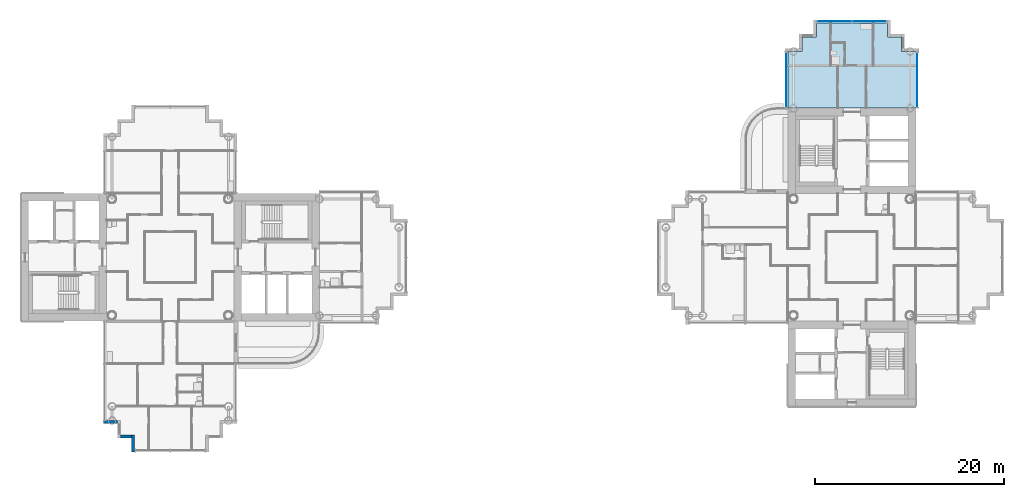
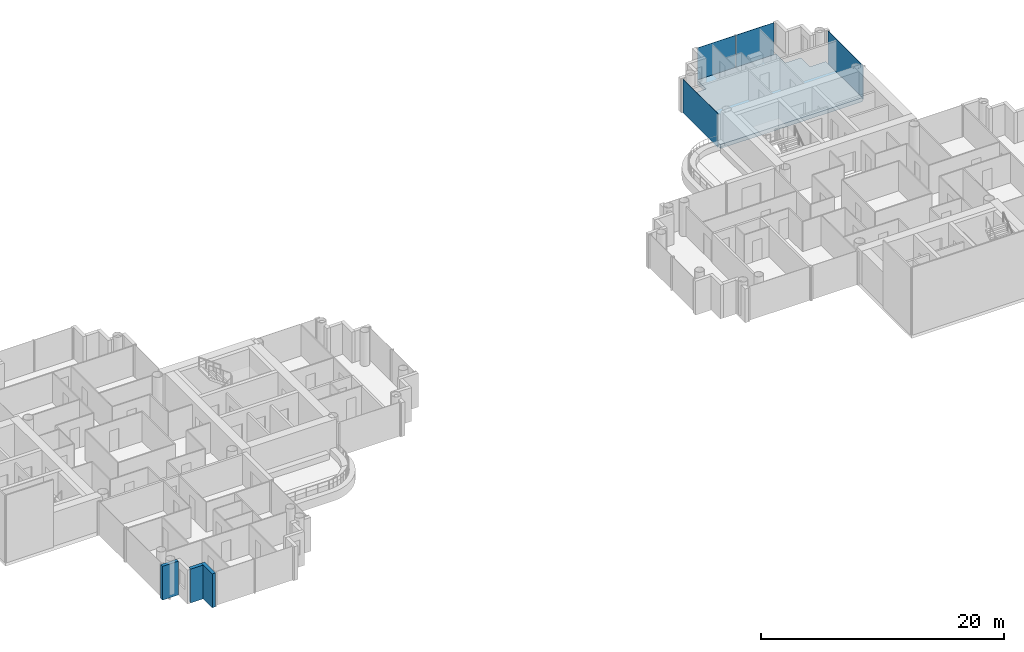
# One storey, part 6 of 19: 4 plates, 3 walls, 1 slab, 3 elements without a shape of their own.
"""IFC4 building model written with IfcOpenShell, lengths in metres."""

from ifc_helpers import new_model, si_unit, direction, frame, frame_2d, origin, origin_2d, place, context, subcontext, project, spatial, polyline, rectangle, outline, extrude, material, layer, layer_set, type_object, element, aggregate, save


model = new_model("IFC4")

# Units and contexts
model_context = context("Model", 3, precision=1e-05, world=origin(), true_north=direction((0.0, 1.0)))
body_context = subcontext(model_context, "Body", "Model", "MODEL_VIEW")
ifc_project = project(units=[si_unit("LENGTHUNIT", "METRE"), si_unit("AREAUNIT", "SQUARE_METRE"), si_unit("VOLUMEUNIT", "CUBIC_METRE"), si_unit("PLANEANGLEUNIT", "RADIAN"), si_unit("MASSUNIT", "GRAM", prefix="KILO")], contexts=[model_context])

# Site, building, storey
site_placement = place(None, origin())
site = spatial("IfcSite", under=ifc_project, at=site_placement, CompositionType="ELEMENT")
building_placement = place(site_placement, origin())
building = spatial("IfcBuilding", under=site, at=building_placement, Name="Ipe Terrace Towers", CompositionType="ELEMENT")
storey_placement = place(building_placement, frame((0.0, 0.0, 140.5)))
storey = spatial("IfcBuildingStorey", under=building, at=storey_placement, Name="L38", CompositionType="ELEMENT", Elevation=140.5)

# Slab
ifc_material_1 = material(Name="Concrete C40/50", Category="concrete")
ifc_layer_1 = layer(ifc_material_1, 0.39990234375)
ifc_layer_set_1 = layer_set([ifc_layer_1], Name="FLAT PLATE SLAB 400 C40-50")
slab_type = type_object("IfcSlabType", Name="FLAT PLATE SLAB 400 C40-50", PredefinedType="FLOOR", material=ifc_layer_set_1)
slab_placement = place(storey_placement, frame((0.0, 0.0, -0.39990234375)))
element("IfcSlab", 1, at=slab_placement, inside=storey, type_object=slab_type, Name="Slab T2-FS-Z32", PredefinedType="FLOOR", context=body_context, shape_type="SweptSolid", body=[
    extrude(outline(polyline([(30.75, 21.75), (30.75, 23.25), (32.25, 23.25), (32.25, 24.75), (39.75, 24.75), (39.75, 23.25), (41.25, 23.25), (41.25, 21.75), (42.75, 21.75), (42.75, 15.75), (29.25, 15.75), (29.25, 21.75), (30.75, 21.75)])), origin(), (0.0, 0.0, 1.0), 0.39990234375),
])

# Curtain wall, plate
ifc_material_2 = material(Name="Aluminium alloy 6063-T6", Category="aluminium")
ifc_layer_2 = layer(ifc_material_2, 0.320068359375)
ifc_layer_set_2 = layer_set([ifc_layer_2], Name="TOWER UNITISED CURTAIN WALL")
curtain_wall_type = type_object("IfcCurtainWallType", Name="TOWER UNITISED CURTAIN WALL", PredefinedType="NOTDEFINED", material=ifc_layer_set_2)
curtain_wall_1_placement = place(storey_placement, origin())
curtain_wall_1 = element("IfcCurtainWall", 2, at=curtain_wall_1_placement, inside=storey, type_object=curtain_wall_type, Name="T2-CW-L38-16b curtain wall", PredefinedType="NOTDEFINED")
ifc_material_3 = material(Name="Glass, clear laminated", Category="glass")
ifc_layer_3 = layer(ifc_material_3, 0.031982421875)
ifc_layer_set_3 = layer_set([ifc_layer_3], Name="TOWER UNITISED GLASS PANEL 32")
plate_type = type_object("IfcPlateType", Name="TOWER UNITISED GLASS PANEL 32", PredefinedType="CURTAIN_PANEL", material=ifc_layer_set_3)
plate_1_placement = place(storey_placement, frame((42.909912109375, 18.75048828125, -0.300048828125), z_axis=(0.0, 0.0, 1.0), x_axis=(0.0, 1.0, 0.0)))
plate_1 = element("IfcPlate", 3, at=plate_1_placement, type_object=plate_type, Name="T2-CW-L38-16b panel 1", PredefinedType="CURTAIN_PANEL", context=body_context, shape_type="SweptSolid", body=[
    extrude(rectangle(XDim=5.759033203125, YDim=0.031982421875, at=origin_2d()), origin(), (0.0, 0.0, 1.0), 3.39990234375),
])
aggregate(curtain_wall_1, [plate_1])

# Curtain wall, plates
curtain_wall_2_placement = place(storey_placement, origin())
curtain_wall_2 = element("IfcCurtainWall", 4, at=curtain_wall_2_placement, inside=storey, type_object=curtain_wall_type, Name="T2-CW-L38-21a curtain wall", PredefinedType="NOTDEFINED")
plate_2_placement = place(storey_placement, frame((37.831298828125, 24.909912109375, -0.300048828125), z_axis=(0.0, 0.0, 1.0), x_axis=(-1.0, 0.0, 0.0)))
plate_2 = element("IfcPlate", 5, at=plate_2_placement, type_object=plate_type, Name="T2-CW-L38-21a panel 1", PredefinedType="CURTAIN_PANEL", context=body_context, shape_type="SweptSolid", body=[
    extrude(rectangle(XDim=3.597412109375, YDim=0.031982421875, at=origin_2d()), origin(), (0.0, 0.0, 1.0), 3.39990234375),
])
plate_3_placement = place(storey_placement, frame((34.168701171875, 24.909912109375, -0.300048828125), z_axis=(0.0, 0.0, 1.0), x_axis=(-1.0, 0.0, 0.0)))
plate_3 = element("IfcPlate", 6, at=plate_3_placement, type_object=plate_type, Name="T2-CW-L38-21a panel 2", PredefinedType="CURTAIN_PANEL", context=body_context, shape_type="SweptSolid", body=[
    extrude(rectangle(XDim=3.597412109375, YDim=0.031982421875, at=origin_2d()), origin(), (0.0, 0.0, 1.0), 3.39990234375),
])
aggregate(curtain_wall_2, [plate_2, plate_3])

# Curtain wall, plate
curtain_wall_3_placement = place(storey_placement, origin())
curtain_wall_3 = element("IfcCurtainWall", 7, at=curtain_wall_3_placement, inside=storey, type_object=curtain_wall_type, Name="T2-CW-L38-26a curtain wall", PredefinedType="NOTDEFINED")
plate_4_placement = place(storey_placement, frame((29.090087890625, 18.75048828125, -0.300048828125), z_axis=(0.0, 0.0, 1.0), x_axis=(0.0, -1.0, 0.0)))
plate_4 = element("IfcPlate", 8, at=plate_4_placement, type_object=plate_type, Name="T2-CW-L38-26a panel 1", PredefinedType="CURTAIN_PANEL", context=body_context, shape_type="SweptSolid", body=[
    extrude(rectangle(XDim=5.759033203125, YDim=0.031982421875, at=origin_2d()), origin(), (0.0, 0.0, 1.0), 3.39990234375),
])
aggregate(curtain_wall_3, [plate_4])

# Walls
ifc_material_4 = material(Name="Concrete C40/50 with buff precast cladding", Category="concrete")
ifc_layer_4 = layer(ifc_material_4, 0.320068359375)
ifc_layer_set_4 = layer_set([ifc_layer_4], Name="BUFF CLADDING WALL 320")
wall_type = type_object("IfcWallType", Name="BUFF CLADDING WALL 320", PredefinedType="STANDARD", material=ifc_layer_set_4)
wall_1_placement = place(storey_placement, frame((-43.070068359375, -17.409912109375, -0.300048828125), z_axis=(0.0, 0.0, 1.0), x_axis=(1.0, 0.0, 0.0)))
element("IfcWall", 9, at=wall_1_placement, inside=storey, type_object=wall_type, Name="T1-W-L38-04a wall", PredefinedType="STANDARD", context=body_context, shape_type="SweptSolid", body=[
    extrude(rectangle(XDim=1.5, YDim=0.320068359375, at=frame_2d((0.75, 0.0))), origin(), (0.0, 0.0, 1.0), 3.400146484375),
])
wall_2_placement = place(storey_placement, frame((-41.25, -18.909912109375, -0.300048828125), z_axis=(0.0, 0.0, 1.0), x_axis=(1.0, 0.0, 0.0)))
element("IfcWall", 10, at=wall_2_placement, inside=storey, type_object=wall_type, Name="T1-W-L38-06a wall", PredefinedType="STANDARD", context=body_context, shape_type="SweptSolid", body=[
    extrude(rectangle(XDim=1.179931640625, YDim=0.320068359375, at=frame_2d((0.58984375, 0.0))), origin(), (0.0, 0.0, 1.0), 3.400146484375),
])
wall_3_placement = place(storey_placement, frame((-39.909912109375, -18.75, -0.300048828125), z_axis=(0.0, 0.0, 1.0), x_axis=(0.0, -1.0, 0.0)))
element("IfcWall", 11, at=wall_3_placement, inside=storey, type_object=wall_type, Name="T1-W-L38-07a wall", PredefinedType="STANDARD", context=body_context, shape_type="SweptSolid", body=[
    extrude(rectangle(XDim=1.820068359375, YDim=0.320068359375, at=frame_2d((0.91015625, 0.0))), origin(), (0.0, 0.0, 1.0), 3.400146484375),
])

save(model, "model.ifc")
